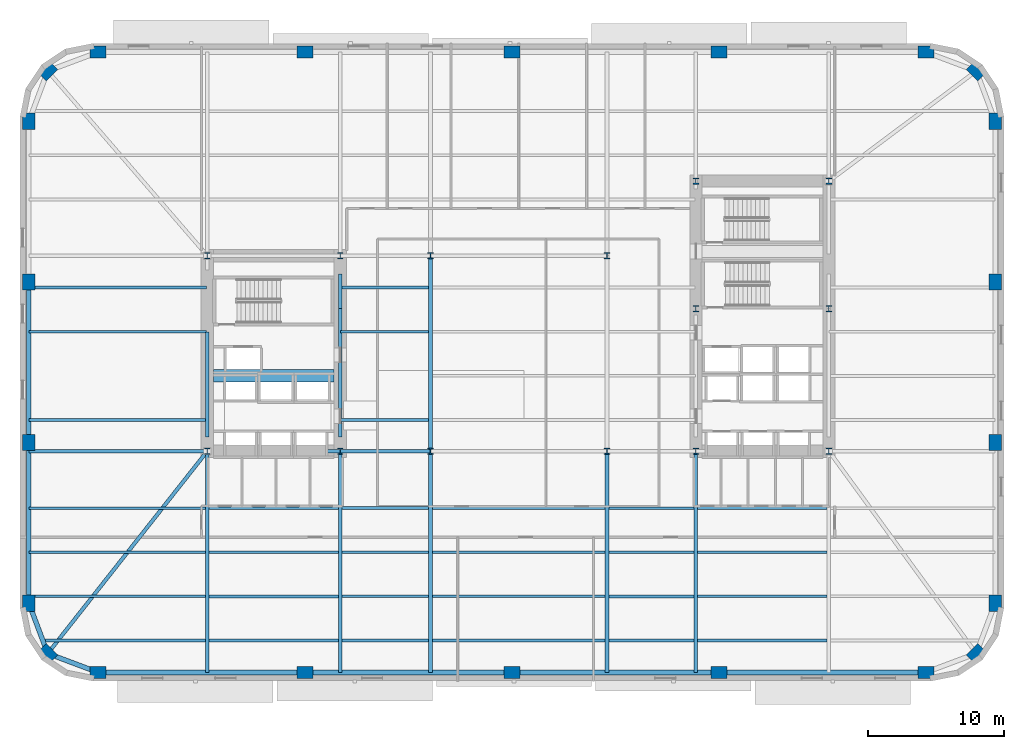
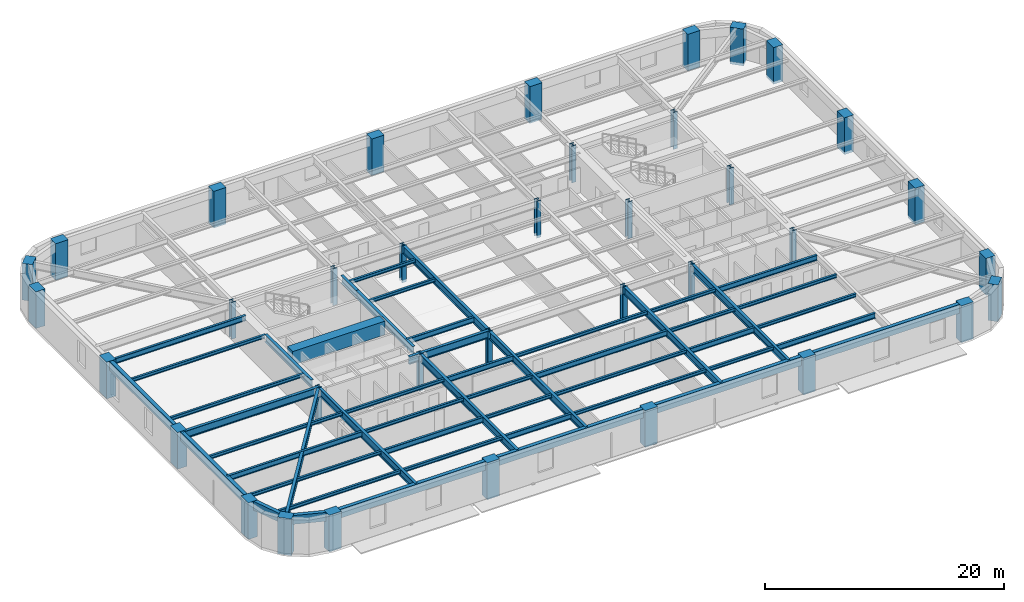
# One storey, part 1 of 15: 51 beams, 36 columns.
"""IFC4 building model written with IfcOpenShell, lengths in metres."""

from ifc_helpers import new_model, si_unit, direction, frame, origin, origin_2d, place, context, subcontext, project, spatial, rectangle, hollow_rectangle, i_section, extrude, material, material_profile, profile_set, type_object, element, save


model = new_model("IFC4")

# Units and contexts
model_context = context("Model", 3, precision=1e-05, world=origin(), true_north=direction((0.0, 1.0)))
body_context = subcontext(model_context, "Body", "Model", "MODEL_VIEW")
ifc_project = project(units=[si_unit("LENGTHUNIT", "METRE"), si_unit("AREAUNIT", "SQUARE_METRE"), si_unit("VOLUMEUNIT", "CUBIC_METRE"), si_unit("PLANEANGLEUNIT", "RADIAN"), si_unit("MASSUNIT", "GRAM", prefix="KILO")], contexts=[model_context])

# Site, building, storey
site_placement = place(None, origin())
site = spatial("IfcSite", under=ifc_project, at=site_placement, CompositionType="ELEMENT")
building_placement = place(site_placement, origin())
building = spatial("IfcBuilding", under=site, at=building_placement, Name="Kolvaren Arena Tower", CompositionType="ELEMENT")
storey_placement = place(building_placement, frame((0.0, 0.0, 68.25)))
storey = spatial("IfcBuildingStorey", under=building, at=storey_placement, Name="L14", CompositionType="ELEMENT", Elevation=68.25)

# Columns
ifc_material_1 = material(Name="Precast concrete C70/85", Category="concrete")
ifc_material_profile_1 = material_profile(ifc_material_1, rectangle(XDim=1.199951171875, YDim=0.89990234375, at=origin_2d()), Name="RC-1200x900")
ifc_profile_set_1 = profile_set([ifc_material_profile_1], Name="Precast concrete C70/85")
column_type_1 = type_object("IfcColumnType", Name="EXCOL-Z1", PredefinedType="COLUMN", material=ifc_profile_set_1)
for number, where, z_axis, x_axis, name in (
    (1, (6.5, 3.14990234375, -0.27001953125), (0.0, 0.0, 1.0), (1.0, 0.0, 0.0), "Exoskeleton Perimeter Column 01 (L14)"),
    (2, (21.75, 3.14990234375, -0.27001953125), (0.0, 0.0, 1.0), (1.0, 0.0, 0.0), "Exoskeleton Perimeter Column 02 (L14)"),
    (3, (37.0, 3.14990234375, -0.27001953125), (0.0, 0.0, 1.0), (1.0, 0.0, 0.0), "Exoskeleton Perimeter Column 03 (L14)"),
    (4, (52.25, 3.14990234375, -0.27001953125), (0.0, 0.0, 1.0), (1.0, 0.0, 0.0), "Exoskeleton Perimeter Column 04 (L14)"),
    (5, (67.5, 3.14990234375, -0.27001953125), (0.0, 0.0, 1.0), (1.0, 0.0, 0.0), "Exoskeleton Perimeter Column 05 (L14)"),
    (6, (71.208740234375, 4.541259765625, -0.27001953125), (0.0, 0.0, 1.0), (0.707106781187, 0.707106781187, 0.0), "Exoskeleton Perimeter Column 06 (L14)"),
    (7, (72.60009765625, 8.25, -0.27001953125), (0.0, 0.0, 1.0), (0.0, 1.0, 0.0), "Exoskeleton Perimeter Column 07 (L14)"),
    (8, (72.60009765625, 20.083251953125, -0.27001953125), (0.0, 0.0, 1.0), (0.0, 1.0, 0.0), "Exoskeleton Perimeter Column 08 (L14)"),
    (9, (72.60009765625, 31.916748046875, -0.27001953125), (0.0, 0.0, 1.0), (0.0, 1.0, 0.0), "Exoskeleton Perimeter Column 09 (L14)"),
    (10, (72.60009765625, 43.75, -0.27001953125), (0.0, 0.0, 1.0), (0.0, 1.0, 0.0), "Exoskeleton Perimeter Column 10 (L14)"),
    (11, (71.208740234375, 47.458740234375, -0.27001953125), (0.0, 0.0, 1.0), (-0.707106781187, 0.707106781187, 0.0), "Exoskeleton Perimeter Column 11 (L14)"),
    (12, (67.5, 48.85009765625, -0.27001953125), (0.0, 0.0, 1.0), (1.0, 0.0, 0.0), "Exoskeleton Perimeter Column 12 (L14)"),
    (13, (52.25, 48.85009765625, -0.27001953125), (0.0, 0.0, 1.0), (1.0, 0.0, 0.0), "Exoskeleton Perimeter Column 13 (L14)"),
    (14, (37.0, 48.85009765625, -0.27001953125), (0.0, 0.0, 1.0), (1.0, 0.0, 0.0), "Exoskeleton Perimeter Column 14 (L14)"),
    (15, (21.75, 48.85009765625, -0.27001953125), (0.0, 0.0, 1.0), (1.0, 0.0, 0.0), "Exoskeleton Perimeter Column 15 (L14)"),
    (16, (6.5, 48.85009765625, -0.27001953125), (0.0, 0.0, 1.0), (1.0, 0.0, 0.0), "Exoskeleton Perimeter Column 16 (L14)"),
    (17, (2.791259765625, 47.458740234375, -0.27001953125), (0.0, 0.0, 1.0), (0.707106781187, 0.707106781187, 0.0), "Exoskeleton Perimeter Column 17 (L14)"),
    (18, (1.39990234375, 43.75, -0.27001953125), (0.0, 0.0, 1.0), (0.0, 1.0, 0.0), "Exoskeleton Perimeter Column 18 (L14)"),
    (19, (1.39990234375, 31.916748046875, -0.27001953125), (0.0, 0.0, 1.0), (0.0, 1.0, 0.0), "Exoskeleton Perimeter Column 19 (L14)"),
    (20, (1.39990234375, 20.083251953125, -0.27001953125), (0.0, 0.0, 1.0), (0.0, 1.0, 0.0), "Exoskeleton Perimeter Column 20 (L14)"),
    (21, (1.39990234375, 8.25, -0.27001953125), (0.0, 0.0, 1.0), (0.0, 1.0, 0.0), "Exoskeleton Perimeter Column 21 (L14)"),
    (22, (2.791259765625, 4.541259765625, -0.27001953125), (0.0, 0.0, 1.0), (-0.707106781187, 0.707106781187, 0.0), "Exoskeleton Perimeter Column 22 (L14)"),
):
    element("IfcColumn", number, at=place(storey_placement, frame(where, z_axis=z_axis, x_axis=x_axis)), inside=storey, type_object=column_type_1, Name=name, PredefinedType="COLUMN", context=body_context, shape_type="SweptSolid", body=[
        extrude(rectangle(XDim=1.199951171875, YDim=0.89990234375, at=origin_2d()), origin(), (0.0, 0.0, 1.0), 3.75),
    ])
ifc_material_2 = material(Name="Steel ASTM A913 Grade 65", Category="steel")
ifc_material_profile_2 = material_profile(ifc_material_2, i_section(OverallWidth=0.424072265625, OverallDepth=0.47412109375, WebThickness=0.047607421875, FlangeThickness=0.076904296875, FilletRadius=0.02001953125, at=origin_2d()), Name="W360x634")
ifc_profile_set_2 = profile_set([ifc_material_profile_2], Name="Steel ASTM A913 Grade 65")
column_type_2 = type_object("IfcColumnType", Name="SCOL-Z1", PredefinedType="COLUMN", material=ifc_profile_set_2)
for number, where, z_axis, x_axis, name in (
    (23, (14.550048828125, 19.449951171875, -0.27001953125), (0.0, 0.0, 1.0), (1.0, 0.0, 0.0), "Core Boundary Column WC-SW (L14)"),
    (24, (24.35009765625, 19.449951171875, -0.27001953125), (0.0, 0.0, 1.0), (1.0, 0.0, 0.0), "Core Boundary Column WC-SE (L14)"),
    (25, (14.550048828125, 33.85009765625, -0.27001953125), (0.0, 0.0, 1.0), (1.0, 0.0, 0.0), "Core Boundary Column WC-NW (L14)"),
    (26, (24.35009765625, 33.85009765625, -0.27001953125), (0.0, 0.0, 1.0), (1.0, 0.0, 0.0), "Core Boundary Column WC-NE (L14)"),
    (27, (50.550048828125, 19.449951171875, -0.27001953125), (0.0, 0.0, 1.0), (1.0, 0.0, 0.0), "Core Boundary Column EC-SW (L14)"),
    (28, (60.35009765625, 19.449951171875, -0.27001953125), (0.0, 0.0, 1.0), (1.0, 0.0, 0.0), "Core Boundary Column EC-SE (L14)"),
    (29, (50.550048828125, 29.949951171875, -0.27001953125), (0.0, 0.0, 1.0), (1.0, 0.0, 0.0), "Core Boundary Column EC-MW (L14)"),
    (30, (60.35009765625, 29.949951171875, -0.27001953125), (0.0, 0.0, 1.0), (1.0, 0.0, 0.0), "Core Boundary Column EC-ME (L14)"),
    (31, (50.550048828125, 39.35009765625, -0.27001953125), (0.0, 0.0, 1.0), (1.0, 0.0, 0.0), "Core Boundary Column EC-NW (L14)"),
    (32, (60.35009765625, 39.35009765625, -0.27001953125), (0.0, 0.0, 1.0), (1.0, 0.0, 0.0), "Core Boundary Column EC-NE (L14)"),
    (33, (31.0, 19.449951171875, -0.27001953125), (0.0, 0.0, 1.0), (1.0, 0.0, 0.0), "Interior Gravity Column TC-SW (L14)"),
    (34, (44.0, 19.449951171875, -0.27001953125), (0.0, 0.0, 1.0), (1.0, 0.0, 0.0), "Interior Gravity Column TC-SE (L14)"),
    (35, (31.0, 33.85009765625, -0.27001953125), (0.0, 0.0, 1.0), (1.0, 0.0, 0.0), "Interior Gravity Column TC-NW (L14)"),
    (36, (44.0, 33.85009765625, -0.27001953125), (0.0, 0.0, 1.0), (1.0, 0.0, 0.0), "Interior Gravity Column TC-NE (L14)"),
):
    element("IfcColumn", number, at=place(storey_placement, frame(where, z_axis=z_axis, x_axis=x_axis)), inside=storey, type_object=column_type_2, Name=name, PredefinedType="COLUMN", context=body_context, shape_type="SweptSolid", body=[
        extrude(i_section(OverallWidth=0.424072265625, OverallDepth=0.47412109375, WebThickness=0.047607421875, FlangeThickness=0.076904296875, FilletRadius=0.02001953125, at=origin_2d()), origin(), (0.0, 0.0, 1.0), 3.75),
    ])

# Beams
ifc_material_3 = material(Name="Steel CSA G40.21 350W", Category="steel")
ifc_material_profile_3 = material_profile(ifc_material_3, i_section(OverallWidth=0.2119140625, OverallDepth=0.54296875, WebThickness=0.01318359375, FlangeThickness=0.0244140625, FilletRadius=0.013916015625, at=origin_2d()), Name="W530x150")
ifc_profile_set_3 = profile_set([ifc_material_profile_3], Name="Steel CSA G40.21 350W")
beam_type_1 = type_object("IfcBeamType", Name="BEAM-F1", PredefinedType="BEAM", material=ifc_profile_set_3)
beam_1_placement = place(storey_placement, frame((24.485107421875, 5.5, 3.20849609375), z_axis=(1.0, 0.0, 0.0), x_axis=(0.0, 1.0, 0.0)))
element("IfcBeam", 37, at=beam_1_placement, inside=storey, type_object=beam_type_1, Name="Composite Floor Beam (L14)", PredefinedType="BEAM", context=body_context, shape_type="SweptSolid", body=[
    extrude(i_section(OverallWidth=0.2119140625, OverallDepth=0.54296875, WebThickness=0.01318359375, FlangeThickness=0.0244140625, FilletRadius=0.013916015625, at=origin_2d()), origin(), (0.0, 0.0, 1.0), 6.3798828125),
])
for number, where, z_axis, x_axis, name in (
    (38, (50.68505859375, 5.5, 3.20849609375), (1.0, 0.0, 0.0), (0.0, 1.0, 0.0), "Composite Floor Beam (L14)"),
    (39, (14.68505859375, 8.75, 3.20849609375), (1.0, 0.0, 0.0), (0.0, 1.0, 0.0), "Composite Floor Beam (L14)"),
):
    element("IfcBeam", number, at=place(storey_placement, frame(where, z_axis=z_axis, x_axis=x_axis)), inside=storey, type_object=beam_type_1, Name=name, PredefinedType="BEAM", context=body_context, shape_type="SweptSolid", body=[
        extrude(i_section(OverallWidth=0.2119140625, OverallDepth=0.54296875, WebThickness=0.01318359375, FlangeThickness=0.0244140625, FilletRadius=0.013916015625, at=origin_2d()), origin(), (0.0, 0.0, 1.0), 9.530029296875),
    ])
beam_2_placement = place(storey_placement, frame((44.135009765625, 8.75, 3.20849609375), z_axis=(1.0, 0.0, 0.0), x_axis=(0.0, 1.0, 0.0)))
element("IfcBeam", 40, at=beam_2_placement, inside=storey, type_object=beam_type_1, Name="Composite Floor Beam (L14)", PredefinedType="BEAM", context=body_context, shape_type="SweptSolid", body=[
    extrude(i_section(OverallWidth=0.2119140625, OverallDepth=0.54296875, WebThickness=0.01318359375, FlangeThickness=0.0244140625, FilletRadius=0.013916015625, at=origin_2d()), origin(), (0.0, 0.0, 1.0), 6.280029296875),
])
beam_3_placement = place(storey_placement, frame((1.39990234375, 12.0, 3.20849609375), z_axis=(1.0, 0.0, 0.0), x_axis=(0.0, 1.0, 0.0)))
element("IfcBeam", 41, at=beam_3_placement, inside=storey, type_object=beam_type_1, Name="Composite Floor Beam (L14)", PredefinedType="BEAM", context=body_context, shape_type="SweptSolid", body=[
    extrude(i_section(OverallWidth=0.2119140625, OverallDepth=0.54296875, WebThickness=0.01318359375, FlangeThickness=0.0244140625, FilletRadius=0.013916015625, at=origin_2d()), origin(), (0.0, 0.0, 1.0), 13.01513671875),
])
beam_4_placement = place(storey_placement, frame((31.135009765625, 12.0, 3.20849609375), z_axis=(1.0, 0.0, 0.0), x_axis=(0.0, 1.0, 0.0)))
element("IfcBeam", 42, at=beam_4_placement, inside=storey, type_object=beam_type_1, Name="Composite Floor Beam (L14)", PredefinedType="BEAM", context=body_context, shape_type="SweptSolid", body=[
    extrude(i_section(OverallWidth=0.2119140625, OverallDepth=0.54296875, WebThickness=0.01318359375, FlangeThickness=0.0244140625, FilletRadius=0.013916015625, at=origin_2d()), origin(), (0.0, 0.0, 1.0), 12.72998046875),
])
beam_5_placement = place(storey_placement, frame((24.485107421875, 15.25, 3.20849609375), z_axis=(1.0, 0.0, 0.0), x_axis=(0.0, 1.0, 0.0)))
element("IfcBeam", 43, at=beam_5_placement, inside=storey, type_object=beam_type_1, Name="Composite Floor Beam (L14)", PredefinedType="BEAM", context=body_context, shape_type="SweptSolid", body=[
    extrude(i_section(OverallWidth=0.2119140625, OverallDepth=0.54296875, WebThickness=0.01318359375, FlangeThickness=0.0244140625, FilletRadius=0.013916015625, at=origin_2d()), origin(), (0.0, 0.0, 1.0), 6.3798828125),
])
beam_6_placement = place(storey_placement, frame((50.68505859375, 15.25, 3.20849609375), z_axis=(1.0, 0.0, 0.0), x_axis=(0.0, 1.0, 0.0)))
element("IfcBeam", 44, at=beam_6_placement, inside=storey, type_object=beam_type_1, Name="Composite Floor Beam (L14)", PredefinedType="BEAM", context=body_context, shape_type="SweptSolid", body=[
    extrude(i_section(OverallWidth=0.2119140625, OverallDepth=0.54296875, WebThickness=0.01318359375, FlangeThickness=0.0244140625, FilletRadius=0.013916015625, at=origin_2d()), origin(), (0.0, 0.0, 1.0), 9.530029296875),
])
beam_7_placement = place(storey_placement, frame((24.3701171875, 21.75, 3.20849609375), z_axis=(1.0, 0.0, 0.0), x_axis=(0.0, 1.0, 0.0)))
element("IfcBeam", 45, at=beam_7_placement, inside=storey, type_object=beam_type_1, Name="Composite Floor Beam (L14)", PredefinedType="BEAM", context=body_context, shape_type="SweptSolid", body=[
    extrude(i_section(OverallWidth=0.2119140625, OverallDepth=0.54296875, WebThickness=0.01318359375, FlangeThickness=0.0244140625, FilletRadius=0.013916015625, at=origin_2d()), origin(), (0.0, 0.0, 1.0), 6.494873046875),
])
beam_8_placement = place(storey_placement, frame((1.39990234375, 31.5, 3.20849609375), z_axis=(1.0, 0.0, 0.0), x_axis=(0.0, 1.0, 0.0)))
element("IfcBeam", 46, at=beam_8_placement, inside=storey, type_object=beam_type_1, Name="Composite Floor Beam (L14)", PredefinedType="BEAM", context=body_context, shape_type="SweptSolid", body=[
    extrude(i_section(OverallWidth=0.2119140625, OverallDepth=0.54296875, WebThickness=0.01318359375, FlangeThickness=0.0244140625, FilletRadius=0.013916015625, at=origin_2d()), origin(), (0.0, 0.0, 1.0), 13.080078125),
])
ifc_material_4 = material(Name="Concrete 75 MPa", Category="concrete")
ifc_material_profile_4 = material_profile(ifc_material_4, rectangle(XDim=0.89990234375, YDim=1.39990234375, at=origin_2d()), Name="RC-900x1400")
ifc_profile_set_4 = profile_set([ifc_material_profile_4], Name="Concrete 75 MPa")
beam_type_2 = type_object("IfcBeamType", Name="CB-CORE-1", PredefinedType="BEAM", material=ifc_profile_set_4)
beam_9_placement = place(storey_placement, frame((15.0, 25.0, 3.050048828125), z_axis=(1.0, 0.0, 0.0), x_axis=(0.0, 1.0, 0.0)))
element("IfcBeam", 47, at=beam_9_placement, inside=storey, type_object=beam_type_2, Name="West Core Coupling Beam (L14)", PredefinedType="BEAM", context=body_context, shape_type="SweptSolid", body=[
    extrude(rectangle(XDim=0.89990234375, YDim=1.39990234375, at=origin_2d()), origin(), (0.0, 0.0, 1.0), 8.89990234375),
])
ifc_material_profile_5 = material_profile(ifc_material_3, i_section(OverallWidth=0.27001953125, OverallDepth=0.77294921875, WebThickness=0.019287109375, FlangeThickness=0.033447265625, FilletRadius=0.01806640625, at=origin_2d()), Name="W760x257")
ifc_profile_set_5 = profile_set([ifc_material_profile_5], Name="Steel CSA G40.21 350W")
beam_type_3 = type_object("IfcBeamType", Name="GIRD-T1", PredefinedType="BEAM", material=ifc_profile_set_5)
beam_10_placement = place(storey_placement, frame((2.791259765625, 4.541259765625, 3.093505859375), z_axis=(0.61927986086, 0.785170334343, 0.0), x_axis=(-0.785170334343, 0.61927986086, 0.0)))
element("IfcBeam", 48, at=beam_10_placement, inside=storey, type_object=beam_type_3, Name="Corner Diagonal Tie Girder (L14)", PredefinedType="BEAM", context=body_context, shape_type="SweptSolid", body=[
    extrude(i_section(OverallWidth=0.27001953125, OverallDepth=0.77294921875, WebThickness=0.019287109375, FlangeThickness=0.033447265625, FilletRadius=0.01806640625, at=origin_2d()), origin(), (0.0, 0.0, 1.0), 18.98779296875),
])
beam_11_placement = place(storey_placement, frame((1.39990234375, 19.449951171875, 3.093505859375), z_axis=(1.0, 0.0, 0.0), x_axis=(0.0, 1.0, 0.0)))
element("IfcBeam", 49, at=beam_11_placement, inside=storey, type_object=beam_type_3, Name="Primary Floor Girder (L14)", PredefinedType="BEAM", context=body_context, shape_type="SweptSolid", body=[
    extrude(i_section(OverallWidth=0.27001953125, OverallDepth=0.77294921875, WebThickness=0.019287109375, FlangeThickness=0.033447265625, FilletRadius=0.01806640625, at=origin_2d()), origin(), (0.0, 0.0, 1.0), 13.150146484375),
])
beam_12_placement = place(storey_placement, frame((23.2451171875, 19.449951171875, 3.093505859375), z_axis=(1.0, 0.0, 0.0), x_axis=(0.0, 1.0, 0.0)))
element("IfcBeam", 50, at=beam_12_placement, inside=storey, type_object=beam_type_3, Name="Primary Floor Girder (L14)", PredefinedType="BEAM", context=body_context, shape_type="SweptSolid", body=[
    extrude(i_section(OverallWidth=0.27001953125, OverallDepth=0.77294921875, WebThickness=0.019287109375, FlangeThickness=0.033447265625, FilletRadius=0.01806640625, at=origin_2d()), origin(), (0.0, 0.0, 1.0), 7.7548828125),
])
beam_13_placement = place(storey_placement, frame((14.550048828125, 3.14990234375, 3.093505859375), z_axis=(0.0, 1.0, 0.0), x_axis=(-1.0, 0.0, 0.0)))
element("IfcBeam", 51, at=beam_13_placement, inside=storey, type_object=beam_type_3, Name="Primary Floor Girder (L14)", PredefinedType="BEAM", context=body_context, shape_type="SweptSolid", body=[
    extrude(i_section(OverallWidth=0.27001953125, OverallDepth=0.77294921875, WebThickness=0.019287109375, FlangeThickness=0.033447265625, FilletRadius=0.01806640625, at=origin_2d()), origin(), (0.0, 0.0, 1.0), 16.300048828125),
])
beam_14_placement = place(storey_placement, frame((14.550048828125, 20.5, 3.093505859375), z_axis=(0.0, 1.0, 0.0), x_axis=(-1.0, 0.0, 0.0)))
element("IfcBeam", 52, at=beam_14_placement, inside=storey, type_object=beam_type_3, Name="Primary Floor Girder (L14)", PredefinedType="BEAM", context=body_context, shape_type="SweptSolid", body=[
    extrude(i_section(OverallWidth=0.27001953125, OverallDepth=0.77294921875, WebThickness=0.019287109375, FlangeThickness=0.033447265625, FilletRadius=0.01806640625, at=origin_2d()), origin(), (0.0, 0.0, 1.0), 7.739990234375),
])
beam_15_placement = place(storey_placement, frame((24.35009765625, 3.14990234375, 3.093505859375), z_axis=(0.0, 1.0, 0.0), x_axis=(-1.0, 0.0, 0.0)))
element("IfcBeam", 53, at=beam_15_placement, inside=storey, type_object=beam_type_3, Name="Primary Floor Girder (L14)", PredefinedType="BEAM", context=body_context, shape_type="SweptSolid", body=[
    extrude(i_section(OverallWidth=0.27001953125, OverallDepth=0.77294921875, WebThickness=0.019287109375, FlangeThickness=0.033447265625, FilletRadius=0.01806640625, at=origin_2d()), origin(), (0.0, 0.0, 1.0), 16.300048828125),
])
beam_16_placement = place(storey_placement, frame((24.35009765625, 20.5, 3.093505859375), z_axis=(0.0, 1.0, 0.0), x_axis=(-1.0, 0.0, 0.0)))
element("IfcBeam", 54, at=beam_16_placement, inside=storey, type_object=beam_type_3, Name="Primary Floor Girder (L14)", PredefinedType="BEAM", context=body_context, shape_type="SweptSolid", body=[
    extrude(i_section(OverallWidth=0.27001953125, OverallDepth=0.77294921875, WebThickness=0.019287109375, FlangeThickness=0.033447265625, FilletRadius=0.01806640625, at=origin_2d()), origin(), (0.0, 0.0, 1.0), 9.449951171875),
])
beam_17_placement = place(storey_placement, frame((24.35009765625, 29.949951171875, 3.093505859375), z_axis=(0.0, 1.0, 0.0), x_axis=(-1.0, 0.0, 0.0)))
element("IfcBeam", 55, at=beam_17_placement, inside=storey, type_object=beam_type_3, Name="Primary Floor Girder (L14)", PredefinedType="BEAM", context=body_context, shape_type="SweptSolid", body=[
    extrude(i_section(OverallWidth=0.27001953125, OverallDepth=0.77294921875, WebThickness=0.019287109375, FlangeThickness=0.033447265625, FilletRadius=0.01806640625, at=origin_2d()), origin(), (0.0, 0.0, 1.0), 2.550048828125),
])
beam_18_placement = place(storey_placement, frame((31.0, 3.14990234375, 3.093505859375), z_axis=(0.0, 1.0, 0.0), x_axis=(-1.0, 0.0, 0.0)))
element("IfcBeam", 56, at=beam_18_placement, inside=storey, type_object=beam_type_3, Name="Primary Floor Girder (L14)", PredefinedType="BEAM", context=body_context, shape_type="SweptSolid", body=[
    extrude(i_section(OverallWidth=0.27001953125, OverallDepth=0.77294921875, WebThickness=0.019287109375, FlangeThickness=0.033447265625, FilletRadius=0.01806640625, at=origin_2d()), origin(), (0.0, 0.0, 1.0), 16.300048828125),
])
beam_19_placement = place(storey_placement, frame((31.0, 19.449951171875, 3.093505859375), z_axis=(0.0, 1.0, 0.0), x_axis=(-1.0, 0.0, 0.0)))
element("IfcBeam", 57, at=beam_19_placement, inside=storey, type_object=beam_type_3, Name="Primary Floor Girder (L14)", PredefinedType="BEAM", context=body_context, shape_type="SweptSolid", body=[
    extrude(i_section(OverallWidth=0.27001953125, OverallDepth=0.77294921875, WebThickness=0.019287109375, FlangeThickness=0.033447265625, FilletRadius=0.01806640625, at=origin_2d()), origin(), (0.0, 0.0, 1.0), 14.400146484375),
])
for number, where, z_axis, x_axis, name in (
    (58, (44.0, 3.14990234375, 3.093505859375), (0.0, 1.0, 0.0), (-1.0, 0.0, 0.0), "Primary Floor Girder (L14)"),
    (59, (50.550048828125, 3.14990234375, 3.093505859375), (0.0, 1.0, 0.0), (-1.0, 0.0, 0.0), "Primary Floor Girder (L14)"),
):
    element("IfcBeam", number, at=place(storey_placement, frame(where, z_axis=z_axis, x_axis=x_axis)), inside=storey, type_object=beam_type_3, Name=name, PredefinedType="BEAM", context=body_context, shape_type="SweptSolid", body=[
        extrude(i_section(OverallWidth=0.27001953125, OverallDepth=0.77294921875, WebThickness=0.019287109375, FlangeThickness=0.033447265625, FilletRadius=0.01806640625, at=origin_2d()), origin(), (0.0, 0.0, 1.0), 16.300048828125),
    ])
ifc_material_profile_6 = material_profile(ifc_material_3, i_section(OverallWidth=0.202880859375, OverallDepth=0.346923828125, WebThickness=0.0078125, FlangeThickness=0.013427734375, FilletRadius=0.010986328125, at=origin_2d()), Name="W360x64")
ifc_profile_set_6 = profile_set([ifc_material_profile_6], Name="Steel CSA G40.21 350W")
beam_type_4 = type_object("IfcBeamType", Name="JOIST-01", PredefinedType="JOIST", material=ifc_profile_set_6)
beam_20_placement = place(storey_placement, frame((2.431396484375, 5.5, 3.306396484375), z_axis=(1.0, 0.0, 0.0), x_axis=(0.0, 1.0, 0.0)))
element("IfcBeam", 60, at=beam_20_placement, inside=storey, type_object=beam_type_4, Name="Composite Floor Joist (L14)", PredefinedType="JOIST", context=body_context, shape_type="SweptSolid", body=[
    extrude(i_section(OverallWidth=0.202880859375, OverallDepth=0.346923828125, WebThickness=0.0078125, FlangeThickness=0.013427734375, FilletRadius=0.010986328125, at=origin_2d()), origin(), (0.0, 0.0, 1.0), 11.983642578125),
])
beam_21_placement = place(storey_placement, frame((14.68505859375, 5.5, 3.306396484375), z_axis=(1.0, 0.0, 0.0), x_axis=(0.0, 1.0, 0.0)))
element("IfcBeam", 61, at=beam_21_placement, inside=storey, type_object=beam_type_4, Name="Composite Floor Joist (L14)", PredefinedType="JOIST", context=body_context, shape_type="SweptSolid", body=[
    extrude(i_section(OverallWidth=0.202880859375, OverallDepth=0.346923828125, WebThickness=0.0078125, FlangeThickness=0.013427734375, FilletRadius=0.010986328125, at=origin_2d()), origin(), (0.0, 0.0, 1.0), 9.530029296875),
])
beam_22_placement = place(storey_placement, frame((31.135009765625, 5.5, 3.306396484375), z_axis=(1.0, 0.0, 0.0), x_axis=(0.0, 1.0, 0.0)))
element("IfcBeam", 62, at=beam_22_placement, inside=storey, type_object=beam_type_4, Name="Composite Floor Joist (L14)", PredefinedType="JOIST", context=body_context, shape_type="SweptSolid", body=[
    extrude(i_section(OverallWidth=0.202880859375, OverallDepth=0.346923828125, WebThickness=0.0078125, FlangeThickness=0.013427734375, FilletRadius=0.010986328125, at=origin_2d()), origin(), (0.0, 0.0, 1.0), 12.72998046875),
])
beam_23_placement = place(storey_placement, frame((44.135009765625, 5.5, 3.306396484375), z_axis=(1.0, 0.0, 0.0), x_axis=(0.0, 1.0, 0.0)))
element("IfcBeam", 63, at=beam_23_placement, inside=storey, type_object=beam_type_4, Name="Composite Floor Joist (L14)", PredefinedType="JOIST", context=body_context, shape_type="SweptSolid", body=[
    extrude(i_section(OverallWidth=0.202880859375, OverallDepth=0.346923828125, WebThickness=0.0078125, FlangeThickness=0.013427734375, FilletRadius=0.010986328125, at=origin_2d()), origin(), (0.0, 0.0, 1.0), 6.280029296875),
])
beam_24_placement = place(storey_placement, frame((1.39990234375, 8.75, 3.306396484375), z_axis=(1.0, 0.0, 0.0), x_axis=(0.0, 1.0, 0.0)))
element("IfcBeam", 64, at=beam_24_placement, inside=storey, type_object=beam_type_4, Name="Composite Floor Joist (L14)", PredefinedType="JOIST", context=body_context, shape_type="SweptSolid", body=[
    extrude(i_section(OverallWidth=0.202880859375, OverallDepth=0.346923828125, WebThickness=0.0078125, FlangeThickness=0.013427734375, FilletRadius=0.010986328125, at=origin_2d()), origin(), (0.0, 0.0, 1.0), 13.01513671875),
])
beam_25_placement = place(storey_placement, frame((24.485107421875, 8.75, 3.306396484375), z_axis=(1.0, 0.0, 0.0), x_axis=(0.0, 1.0, 0.0)))
element("IfcBeam", 65, at=beam_25_placement, inside=storey, type_object=beam_type_4, Name="Composite Floor Joist (L14)", PredefinedType="JOIST", context=body_context, shape_type="SweptSolid", body=[
    extrude(i_section(OverallWidth=0.202880859375, OverallDepth=0.346923828125, WebThickness=0.0078125, FlangeThickness=0.013427734375, FilletRadius=0.010986328125, at=origin_2d()), origin(), (0.0, 0.0, 1.0), 6.3798828125),
])
beam_26_placement = place(storey_placement, frame((31.135009765625, 8.75, 3.306396484375), z_axis=(1.0, 0.0, 0.0), x_axis=(0.0, 1.0, 0.0)))
element("IfcBeam", 66, at=beam_26_placement, inside=storey, type_object=beam_type_4, Name="Composite Floor Joist (L14)", PredefinedType="JOIST", context=body_context, shape_type="SweptSolid", body=[
    extrude(i_section(OverallWidth=0.202880859375, OverallDepth=0.346923828125, WebThickness=0.0078125, FlangeThickness=0.013427734375, FilletRadius=0.010986328125, at=origin_2d()), origin(), (0.0, 0.0, 1.0), 12.72998046875),
])
for number, where, z_axis, x_axis, name in (
    (67, (50.68505859375, 8.75, 3.306396484375), (1.0, 0.0, 0.0), (0.0, 1.0, 0.0), "Composite Floor Joist (L14)"),
    (68, (14.68505859375, 12.0, 3.306396484375), (1.0, 0.0, 0.0), (0.0, 1.0, 0.0), "Composite Floor Joist (L14)"),
):
    element("IfcBeam", number, at=place(storey_placement, frame(where, z_axis=z_axis, x_axis=x_axis)), inside=storey, type_object=beam_type_4, Name=name, PredefinedType="JOIST", context=body_context, shape_type="SweptSolid", body=[
        extrude(i_section(OverallWidth=0.202880859375, OverallDepth=0.346923828125, WebThickness=0.0078125, FlangeThickness=0.013427734375, FilletRadius=0.010986328125, at=origin_2d()), origin(), (0.0, 0.0, 1.0), 9.530029296875),
    ])
beam_27_placement = place(storey_placement, frame((24.485107421875, 12.0, 3.306396484375), z_axis=(1.0, 0.0, 0.0), x_axis=(0.0, 1.0, 0.0)))
element("IfcBeam", 69, at=beam_27_placement, inside=storey, type_object=beam_type_4, Name="Composite Floor Joist (L14)", PredefinedType="JOIST", context=body_context, shape_type="SweptSolid", body=[
    extrude(i_section(OverallWidth=0.202880859375, OverallDepth=0.346923828125, WebThickness=0.0078125, FlangeThickness=0.013427734375, FilletRadius=0.010986328125, at=origin_2d()), origin(), (0.0, 0.0, 1.0), 6.3798828125),
])
beam_28_placement = place(storey_placement, frame((44.135009765625, 12.0, 3.306396484375), z_axis=(1.0, 0.0, 0.0), x_axis=(0.0, 1.0, 0.0)))
element("IfcBeam", 70, at=beam_28_placement, inside=storey, type_object=beam_type_4, Name="Composite Floor Joist (L14)", PredefinedType="JOIST", context=body_context, shape_type="SweptSolid", body=[
    extrude(i_section(OverallWidth=0.202880859375, OverallDepth=0.346923828125, WebThickness=0.0078125, FlangeThickness=0.013427734375, FilletRadius=0.010986328125, at=origin_2d()), origin(), (0.0, 0.0, 1.0), 6.280029296875),
])
beam_29_placement = place(storey_placement, frame((50.68505859375, 12.0, 3.306396484375), z_axis=(1.0, 0.0, 0.0), x_axis=(0.0, 1.0, 0.0)))
element("IfcBeam", 71, at=beam_29_placement, inside=storey, type_object=beam_type_4, Name="Composite Floor Joist (L14)", PredefinedType="JOIST", context=body_context, shape_type="SweptSolid", body=[
    extrude(i_section(OverallWidth=0.202880859375, OverallDepth=0.346923828125, WebThickness=0.0078125, FlangeThickness=0.013427734375, FilletRadius=0.010986328125, at=origin_2d()), origin(), (0.0, 0.0, 1.0), 9.530029296875),
])
beam_30_placement = place(storey_placement, frame((1.39990234375, 15.25, 3.306396484375), z_axis=(1.0, 0.0, 0.0), x_axis=(0.0, 1.0, 0.0)))
element("IfcBeam", 72, at=beam_30_placement, inside=storey, type_object=beam_type_4, Name="Composite Floor Joist (L14)", PredefinedType="JOIST", context=body_context, shape_type="SweptSolid", body=[
    extrude(i_section(OverallWidth=0.202880859375, OverallDepth=0.346923828125, WebThickness=0.0078125, FlangeThickness=0.013427734375, FilletRadius=0.010986328125, at=origin_2d()), origin(), (0.0, 0.0, 1.0), 13.01513671875),
])
beam_31_placement = place(storey_placement, frame((14.68505859375, 15.25, 3.306396484375), z_axis=(1.0, 0.0, 0.0), x_axis=(0.0, 1.0, 0.0)))
element("IfcBeam", 73, at=beam_31_placement, inside=storey, type_object=beam_type_4, Name="Composite Floor Joist (L14)", PredefinedType="JOIST", context=body_context, shape_type="SweptSolid", body=[
    extrude(i_section(OverallWidth=0.202880859375, OverallDepth=0.346923828125, WebThickness=0.0078125, FlangeThickness=0.013427734375, FilletRadius=0.010986328125, at=origin_2d()), origin(), (0.0, 0.0, 1.0), 9.530029296875),
])
beam_32_placement = place(storey_placement, frame((31.135009765625, 15.25, 3.306396484375), z_axis=(1.0, 0.0, 0.0), x_axis=(0.0, 1.0, 0.0)))
element("IfcBeam", 74, at=beam_32_placement, inside=storey, type_object=beam_type_4, Name="Composite Floor Joist (L14)", PredefinedType="JOIST", context=body_context, shape_type="SweptSolid", body=[
    extrude(i_section(OverallWidth=0.202880859375, OverallDepth=0.346923828125, WebThickness=0.0078125, FlangeThickness=0.013427734375, FilletRadius=0.010986328125, at=origin_2d()), origin(), (0.0, 0.0, 1.0), 12.72998046875),
])
beam_33_placement = place(storey_placement, frame((44.135009765625, 15.25, 3.306396484375), z_axis=(1.0, 0.0, 0.0), x_axis=(0.0, 1.0, 0.0)))
element("IfcBeam", 75, at=beam_33_placement, inside=storey, type_object=beam_type_4, Name="Composite Floor Joist (L14)", PredefinedType="JOIST", context=body_context, shape_type="SweptSolid", body=[
    extrude(i_section(OverallWidth=0.202880859375, OverallDepth=0.346923828125, WebThickness=0.0078125, FlangeThickness=0.013427734375, FilletRadius=0.010986328125, at=origin_2d()), origin(), (0.0, 0.0, 1.0), 6.280029296875),
])
beam_34_placement = place(storey_placement, frame((1.39990234375, 21.75, 3.306396484375), z_axis=(1.0, 0.0, 0.0), x_axis=(0.0, 1.0, 0.0)))
element("IfcBeam", 76, at=beam_34_placement, inside=storey, type_object=beam_type_4, Name="Composite Floor Joist (L14)", PredefinedType="JOIST", context=body_context, shape_type="SweptSolid", body=[
    extrude(i_section(OverallWidth=0.202880859375, OverallDepth=0.346923828125, WebThickness=0.0078125, FlangeThickness=0.013427734375, FilletRadius=0.010986328125, at=origin_2d()), origin(), (0.0, 0.0, 1.0), 13.130126953125),
])
beam_35_placement = place(storey_placement, frame((1.39990234375, 28.25, 3.306396484375), z_axis=(1.0, 0.0, 0.0), x_axis=(0.0, 1.0, 0.0)))
element("IfcBeam", 77, at=beam_35_placement, inside=storey, type_object=beam_type_4, Name="Composite Floor Joist (L14)", PredefinedType="JOIST", context=body_context, shape_type="SweptSolid", body=[
    extrude(i_section(OverallWidth=0.202880859375, OverallDepth=0.346923828125, WebThickness=0.0078125, FlangeThickness=0.013427734375, FilletRadius=0.010986328125, at=origin_2d()), origin(), (0.0, 0.0, 1.0), 13.080078125),
])
for number, where, z_axis, x_axis, name in (
    (78, (24.3701171875, 28.25, 3.306396484375), (1.0, 0.0, 0.0), (0.0, 1.0, 0.0), "Composite Floor Joist (L14)"),
    (79, (24.3701171875, 31.5, 3.306396484375), (1.0, 0.0, 0.0), (0.0, 1.0, 0.0), "Composite Floor Joist (L14)"),
):
    element("IfcBeam", number, at=place(storey_placement, frame(where, z_axis=z_axis, x_axis=x_axis)), inside=storey, type_object=beam_type_4, Name=name, PredefinedType="JOIST", context=body_context, shape_type="SweptSolid", body=[
        extrude(i_section(OverallWidth=0.202880859375, OverallDepth=0.346923828125, WebThickness=0.0078125, FlangeThickness=0.013427734375, FilletRadius=0.010986328125, at=origin_2d()), origin(), (0.0, 0.0, 1.0), 6.494873046875),
    ])
ifc_material_5 = material(Name="Steel CSA G40.21 350WT", Category="steel")
ifc_material_profile_7 = material_profile(ifc_material_5, hollow_rectangle(XDim=0.35009765625, YDim=0.89990234375, WallThickness=0.02001953125, at=origin_2d()), Name="HSS 900x350x20")
ifc_profile_set_7 = profile_set([ifc_material_profile_7], Name="Steel CSA G40.21 350WT")
beam_type_5 = type_object("IfcBeamType", Name="SPAND-01", PredefinedType="SPANDREL", material=ifc_profile_set_7)
for number, where, z_axis, x_axis, name in (
    (80, (6.5, 3.14990234375, 3.030029296875), (1.0, 0.0, 0.0), (0.0, 1.0, 0.0), "Perimeter Spandrel Beam (L14)"),
    (81, (21.75, 3.14990234375, 3.030029296875), (1.0, 0.0, 0.0), (0.0, 1.0, 0.0), "Perimeter Spandrel Beam (L14)"),
    (82, (37.0, 3.14990234375, 3.030029296875), (1.0, 0.0, 0.0), (0.0, 1.0, 0.0), "Perimeter Spandrel Beam (L14)"),
    (83, (52.25, 3.14990234375, 3.030029296875), (1.0, 0.0, 0.0), (0.0, 1.0, 0.0), "Perimeter Spandrel Beam (L14)"),
):
    element("IfcBeam", number, at=place(storey_placement, frame(where, z_axis=z_axis, x_axis=x_axis)), inside=storey, type_object=beam_type_5, Name=name, PredefinedType="SPANDREL", context=body_context, shape_type="SweptSolid", body=[
        extrude(hollow_rectangle(XDim=0.35009765625, YDim=0.89990234375, WallThickness=0.02001953125, at=origin_2d()), origin(), (0.0, 0.0, 1.0), 15.25),
    ])
beam_36_placement = place(storey_placement, frame((1.39990234375, 31.916748046875, 3.030029296875), z_axis=(0.0, -1.0, 0.0), x_axis=(1.0, 0.0, 0.0)))
element("IfcBeam", 84, at=beam_36_placement, inside=storey, type_object=beam_type_5, Name="Perimeter Spandrel Beam (L14)", PredefinedType="SPANDREL", context=body_context, shape_type="SweptSolid", body=[
    extrude(hollow_rectangle(XDim=0.35009765625, YDim=0.89990234375, WallThickness=0.02001953125, at=origin_2d()), origin(), (0.0, 0.0, 1.0), 11.83349609375),
])
beam_37_placement = place(storey_placement, frame((1.39990234375, 20.083251953125, 3.030029296875), z_axis=(0.0, -1.0, 0.0), x_axis=(1.0, 0.0, 0.0)))
element("IfcBeam", 85, at=beam_37_placement, inside=storey, type_object=beam_type_5, Name="Perimeter Spandrel Beam (L14)", PredefinedType="SPANDREL", context=body_context, shape_type="SweptSolid", body=[
    extrude(hollow_rectangle(XDim=0.35009765625, YDim=0.89990234375, WallThickness=0.02001953125, at=origin_2d()), origin(), (0.0, 0.0, 1.0), 11.833251953125),
])
for number, where, z_axis, x_axis, name in (
    (86, (1.39990234375, 8.25, 3.030029296875), (0.351251771955, -0.93628104365, 0.0), (0.93628104365, 0.351251771955, 0.0), "Perimeter Spandrel Beam (L14)"),
    (87, (2.791259765625, 4.541259765625, 3.030029296875), (0.93628104365, -0.351251771955, 0.0), (0.351251771955, 0.93628104365, 0.0), "Perimeter Spandrel Beam (L14)"),
):
    element("IfcBeam", number, at=place(storey_placement, frame(where, z_axis=z_axis, x_axis=x_axis)), inside=storey, type_object=beam_type_5, Name=name, PredefinedType="SPANDREL", context=body_context, shape_type="SweptSolid", body=[
        extrude(hollow_rectangle(XDim=0.35009765625, YDim=0.89990234375, WallThickness=0.02001953125, at=origin_2d()), origin(), (0.0, 0.0, 1.0), 3.961181640625),
    ])

save(model, "model.ifc")
